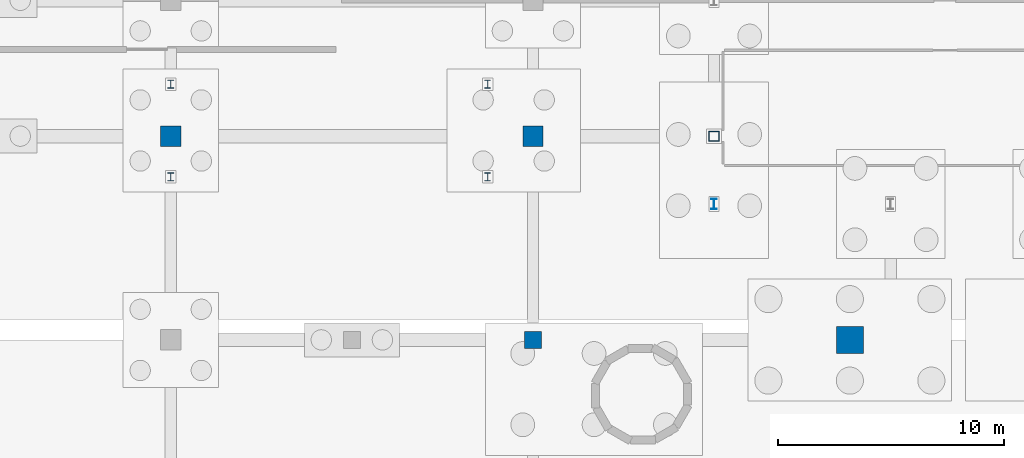
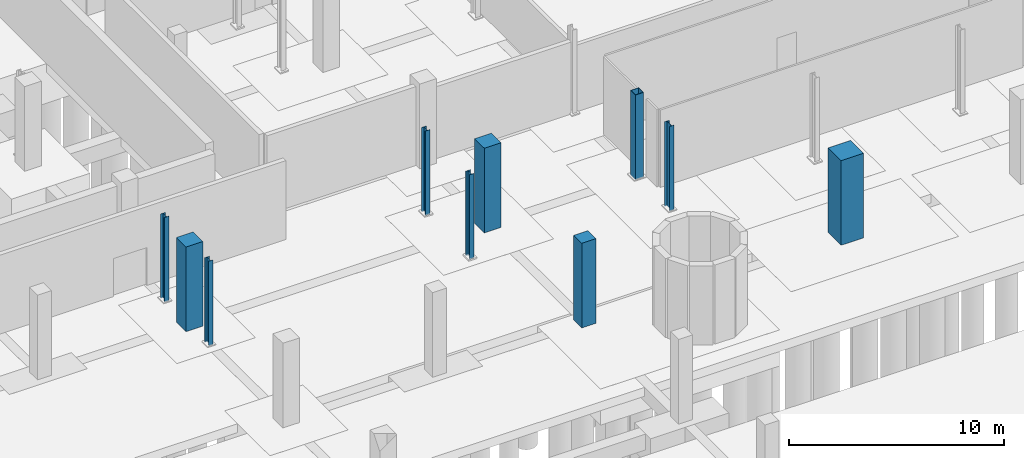
# One storey, part 9 of 32: 10 columns.
"""IFC4 building model written with IfcOpenShell, lengths in metres."""

import ifcopenshell
import ifcopenshell.guid

model = None  # the IFC model being written
_history = None  # IfcOwnerHistory: only IFC2X3 demands one
_inside = {}  # id of a spatial element -> (the spatial element, [elements in it])
_under = {}  # id of a project, library or spatial element -> (it, [spatial elements below it])
_declared = {}  # id of a project -> (the project, [libraries it declares])
_typed = {}  # id of a type object -> (the type object, [elements of that type])
_made_of = {}  # id of a material, layer set ... -> (it, [elements and type objects made of it])


def new_model(schema):
    """Start an empty IFC model of exactly this schema.

    Asked for "IFC4X3", IfcOpenShell would pick the latest addendum, in which some entities
    have other attributes; the version numbers below select the first issue.
    IFC2X3 requires an IfcOwnerHistory on every rooted entity: one is made here for all.
    """
    global model, _history
    if schema == "IFC4X3":
        model = ifcopenshell.file(schema_version=(4, 3, 0, 0))
    else:
        model = ifcopenshell.file(schema=schema)
    _inside.clear()
    _under.clear()
    _declared.clear()
    _typed.clear()
    _made_of.clear()
    _history = None
    if model.schema == "IFC2X3":
        org = make("IfcOrganization", Name="unknown")
        user = make(
            "IfcPersonAndOrganization",
            ThePerson=make("IfcPerson", FamilyName="unknown"),
            TheOrganization=org,
        )
        app = make(
            "IfcApplication",
            ApplicationDeveloper=org,
            Version="unknown",
            ApplicationFullName="unknown",
            ApplicationIdentifier="unknown",
        )
        _history = make(
            "IfcOwnerHistory",
            OwningUser=user,
            OwningApplication=app,
            ChangeAction="ADDED",
            CreationDate=0,
        )
    return model


def make(cls, **values):
    """One entity of the class cls with the attributes given. An attribute that is None is left unset."""
    return model.create_entity(
        cls, **{name: value for name, value in values.items() if value is not None}
    )


def rooted(cls, **values):
    """An entity with a GlobalId (a new one), such as an element, a storey or a relation."""
    return make(cls, GlobalId=ifcopenshell.guid.new(), OwnerHistory=_history, **values)


def si_unit(unit_type, name, prefix=None):
    """IfcSIUnit, for example si_unit("LENGTHUNIT", "METRE", prefix="MILLI")."""
    return make("IfcSIUnit", UnitType=unit_type, Prefix=prefix, Name=name)


def derived_unit(unit_type, elements):
    """IfcDerivedUnit: a product of units, each with its exponent."""
    return make(
        "IfcDerivedUnit",
        Elements=[
            make("IfcDerivedUnitElement", Unit=unit, Exponent=power)
            for unit, power in elements
        ],
        UnitType=unit_type,
    )


def assignment(units):
    """IfcUnitAssignment: the units of a project."""
    return None if units is None else make("IfcUnitAssignment", Units=units)


def point(xyz):
    """IfcCartesianPoint."""
    return None if xyz is None else make("IfcCartesianPoint", Coordinates=xyz)


def direction(xyz):
    """IfcDirection."""
    return None if xyz is None else make("IfcDirection", DirectionRatios=xyz)


def frame(location, z_axis=None, x_axis=None):
    """IfcAxis2Placement3D, a coordinate frame: its origin and axes. An axis left out is left unset."""
    return make(
        "IfcAxis2Placement3D",
        Location=point(location),
        Axis=direction(z_axis),
        RefDirection=direction(x_axis),
    )


def frame_2d(location, x_axis=None):
    """IfcAxis2Placement2D, a coordinate frame in the plane: its origin and x axis."""
    return make(
        "IfcAxis2Placement2D", Location=point(location), RefDirection=direction(x_axis)
    )


def origin():
    """The frame at (0, 0, 0) with its axes left unset."""
    return frame((0.0, 0.0, 0.0))


def origin_2d():
    """The frame at (0, 0) in the plane with its x axis left unset."""
    return frame_2d((0.0, 0.0))


def place(relative_to, where):
    """IfcLocalPlacement: puts the frame where relative to a parent placement (None: the world)."""
    return make(
        "IfcLocalPlacement", PlacementRelTo=relative_to, RelativePlacement=where
    )


def context(
    kind, dimensions, precision=None, world=None, true_north=None, identifier=None
):
    """IfcGeometricRepresentationContext, for example the 3D "Model" context."""
    return make(
        "IfcGeometricRepresentationContext",
        ContextIdentifier=identifier,
        ContextType=kind,
        CoordinateSpaceDimension=dimensions,
        Precision=precision,
        WorldCoordinateSystem=world,
        TrueNorth=true_north,
    )


def subcontext(parent, identifier, kind, view, scale=None):
    """IfcGeometricRepresentationSubContext, for example "Body" below "Model"."""
    return make(
        "IfcGeometricRepresentationSubContext",
        ContextIdentifier=identifier,
        ContextType=kind,
        ParentContext=parent,
        TargetScale=scale,
        TargetView=view,
    )


def project(units=None, contexts=None):
    """IfcProject with its units and contexts."""
    return rooted(
        "IfcProject",
        Name="project",
        RepresentationContexts=contexts,
        UnitsInContext=assignment(units),
    )


def spatial(cls, under=None, at=None, **own):
    """A site, building, storey or space (cls), placed at a placement, below another one or the project."""
    s = rooted(cls, ObjectPlacement=at, **own)
    if under is not None:
        _under.setdefault(under.id(), (under, []))[1].append(s)
    return s


def profile(cls, at=None, kind="AREA", **sizes):
    """A parametric profile (cls). Its sizes go by their IFC names, for example OverallWidth=200.0."""
    return make(cls, ProfileType=kind, Position=at, **sizes)


def rectangle(**sizes):
    """IfcRectangleProfileDef."""
    return profile("IfcRectangleProfileDef", **sizes)


def hollow_rectangle(**sizes):
    """IfcRectangleHollowProfileDef."""
    return profile("IfcRectangleHollowProfileDef", **sizes)


def i_section(**sizes):
    """IfcIShapeProfileDef."""
    return profile("IfcIShapeProfileDef", **sizes)


def extrude(swept, where, along, depth):
    """IfcExtrudedAreaSolid: the profile swept, set in the frame where, extruded along a direction by depth."""
    return make(
        "IfcExtrudedAreaSolid",
        SweptArea=swept,
        Position=where,
        ExtrudedDirection=direction(along),
        Depth=depth,
    )


def shape(context_of_items, identifier, shape_type, items):
    """IfcShapeRepresentation: the items that make up one representation, for example the "Body"."""
    return make(
        "IfcShapeRepresentation",
        ContextOfItems=context_of_items,
        RepresentationIdentifier=identifier,
        RepresentationType=shape_type,
        Items=items,
    )


def material(Name=None, Category=None):
    """IfcMaterial."""
    return make("IfcMaterial", Name=Name, Category=Category)


def material_profile(
    of_material, cross_section, Name=None, Category=None, Priority=None
):
    """IfcMaterialProfile: a cross section and its material."""
    return make(
        "IfcMaterialProfile",
        Name=Name,
        Material=of_material,
        Profile=cross_section,
        Priority=Priority,
        Category=Category,
    )


def profile_set(profiles, Name=None, composite=None):
    """IfcMaterialProfileSet."""
    return make(
        "IfcMaterialProfileSet",
        Name=Name,
        MaterialProfiles=profiles,
        CompositeProfile=composite,
    )


def made_of(thing, what):
    """Note that an element or type object is made of a material, layer set ...; save() writes the relation."""
    if what is not None:
        _made_of.setdefault(what.id(), (what, []))[1].append(thing)
    return thing


def type_object(cls, material=None, **own):
    """A type object (cls), such as IfcWallType, which elements share."""
    return made_of(rooted(cls, **own), material)


def element(
    cls,
    number,
    at=None,
    inside=None,
    cuts=None,
    type_object=None,
    material=None,
    context=None,
    identifier="Body",
    shape_type=None,
    held_by="IfcProductDefinitionShape",
    body=None,
    shapes=None,
    **own,
):
    """One element of the class cls, such as IfcWall. Its Tag is "e" and its number.

    at: its placement. inside: the storey or other place that contains it. cuts: it is an
    opening in that element (IfcRelVoidsElement). A single representation is given by context,
    identifier, shape_type and body (its items); several are given by shapes. held_by: the class
    of the entity that holds the representations. save() writes the other relations.
    """
    e = rooted(cls, Tag="e%d" % number, ObjectPlacement=at, **own)
    if body is not None:
        shapes = [shape(context, identifier, shape_type, body)]
    if shapes is not None:
        e.Representation = make(held_by, Representations=shapes)
    if inside is not None:
        _inside.setdefault(inside.id(), (inside, []))[1].append(e)
    if cuts is not None:
        rooted(
            "IfcRelVoidsElement", RelatingBuildingElement=cuts, RelatedOpeningElement=e
        )
    if type_object is not None:
        _typed.setdefault(type_object.id(), (type_object, []))[1].append(e)
    return made_of(e, material)


def aggregate(whole, parts):
    """IfcRelAggregates: a whole, such as a stair, and the parts it consists of."""
    return rooted("IfcRelAggregates", RelatingObject=whole, RelatedObjects=parts)


def save(model, path):
    """Write the relations noted so far, then the file.

    IfcRelAggregates (storeys below a building ...), IfcRelContainedInSpatialStructure (elements
    in a storey), IfcRelDefinesByType, IfcRelAssociatesMaterial and IfcRelDeclares: one each for
    every whole, place, type object, material and project.
    """
    for whole, parts in _under.values():
        aggregate(whole, parts)
    for where, things in _inside.values():
        rooted(
            "IfcRelContainedInSpatialStructure",
            RelatedElements=things,
            RelatingStructure=where,
        )
    for kind, things in _typed.values():
        rooted("IfcRelDefinesByType", RelatedObjects=things, RelatingType=kind)
    for what, things in _made_of.values():
        rooted("IfcRelAssociatesMaterial", RelatedObjects=things, RelatingMaterial=what)
    for by, libraries in _declared.values():
        rooted("IfcRelDeclares", RelatingContext=by, RelatedDefinitions=libraries)
    model.write(path)


model = new_model("IFC4")

# Units and contexts
model_context = context("Model", 3, precision=1e-05, world=origin(), true_north=direction((0.0, 1.0)))
body_context = subcontext(model_context, "Body", "Model", "MODEL_VIEW")
ifc_project = project(units=[si_unit("LENGTHUNIT", "METRE"), si_unit("AREAUNIT", "SQUARE_METRE"), si_unit("VOLUMEUNIT", "CUBIC_METRE"), si_unit("PLANEANGLEUNIT", "RADIAN"), si_unit("MASSUNIT", "GRAM", prefix="KILO"), derived_unit("THERMALTRANSMITTANCEUNIT", [(si_unit("POWERUNIT", "WATT"), 1), (si_unit("LENGTHUNIT", "METRE"), -2), (si_unit("THERMODYNAMICTEMPERATUREUNIT", "KELVIN"), -1)])], contexts=[model_context])

# Site, building, storey
site_placement = place(None, origin())
site = spatial("IfcSite", under=ifc_project, at=site_placement, CompositionType="ELEMENT")
building_placement = place(site_placement, origin())
building = spatial("IfcBuilding", under=site, at=building_placement, Name="Nallur Shell Playhouse", CompositionType="ELEMENT")
storey_placement = place(building_placement, frame((0.0, 0.0, -4.800048828125)))
storey = spatial("IfcBuildingStorey", under=building, at=storey_placement, Name="B1", CompositionType="ELEMENT", Elevation=-4.800048828125)

# Columns
ifc_material_1 = material(Name="Concrete M45", Category="concrete")
ifc_material_profile_1 = material_profile(ifc_material_1, rectangle(XDim=1.199951171875, YDim=1.199951171875, at=origin_2d()), Name="RC 1200x1200")
ifc_profile_set_1 = profile_set([ifc_material_profile_1], Name="Concrete M45")
column_type_1 = type_object("IfcColumnType", Name="CL-RC-1200", PredefinedType="COLUMN", material=ifc_profile_set_1)
column_1_placement = place(storey_placement, frame((70.0, 41.0, 0.0), z_axis=(0.0, 0.0, 1.0), x_axis=(1.0, 0.0, 0.0)))
element("IfcColumn", 1, at=column_1_placement, inside=storey, type_object=column_type_1, Name="Column MC1N (B1)", PredefinedType="COLUMN", context=body_context, shape_type="SweptSolid", body=[
    extrude(rectangle(XDim=1.199951171875, YDim=1.199951171875, at=origin_2d()), origin(), (0.0, 0.0, 1.0), 4.800048828125),
])
ifc_material_2 = material(Name="Concrete M40", Category="concrete")
ifc_material_profile_2 = material_profile(ifc_material_2, rectangle(XDim=0.75, YDim=0.75, at=origin_2d()), Name="RC 750x750")
ifc_profile_set_2 = profile_set([ifc_material_profile_2], Name="Concrete M40")
column_type_2 = type_object("IfcColumnType", Name="CL-RC-750", PredefinedType="COLUMN", material=ifc_profile_set_2)
column_2_placement = place(storey_placement, frame((56.0, 41.0, 0.0), z_axis=(0.0, 0.0, 1.0), x_axis=(1.0, 0.0, 0.0)))
element("IfcColumn", 2, at=column_2_placement, inside=storey, type_object=column_type_2, Name="Column 7-E (B1)", PredefinedType="COLUMN", context=body_context, shape_type="SweptSolid", body=[
    extrude(rectangle(XDim=0.75, YDim=0.75, at=origin_2d()), origin(), (0.0, 0.0, 1.0), 4.800048828125),
])
ifc_material_profile_3 = material_profile(ifc_material_2, rectangle(XDim=0.89990234375, YDim=0.89990234375, at=origin_2d()), Name="RC 900x900")
ifc_profile_set_3 = profile_set([ifc_material_profile_3], Name="Concrete M40")
column_type_3 = type_object("IfcColumnType", Name="CL-RC-900", PredefinedType="COLUMN", material=ifc_profile_set_3)
for number, where, z_axis, x_axis, name in (
    (3, (40.0, 50.0, 0.0), (0.0, 0.0, 1.0), (1.0, 0.0, 0.0), "Column 5-F (B1)"),
    (4, (56.0, 50.0, 0.0), (0.0, 0.0, 1.0), (1.0, 0.0, 0.0), "Column 7-F (B1)"),
):
    element("IfcColumn", number, at=place(storey_placement, frame(where, z_axis=z_axis, x_axis=x_axis)), inside=storey, type_object=column_type_3, Name=name, PredefinedType="COLUMN", context=body_context, shape_type="SweptSolid", body=[
        extrude(rectangle(XDim=0.89990234375, YDim=0.89990234375, at=origin_2d()), origin(), (0.0, 0.0, 1.0), 4.800048828125),
    ])
ifc_material_3 = material(Name="Steel E350", Category="steel")
ifc_material_profile_4 = material_profile(ifc_material_3, hollow_rectangle(XDim=0.449951171875, YDim=0.449951171875, WallThickness=0.02001953125, at=origin_2d()), Name="BOX 450x450x20")
ifc_profile_set_4 = profile_set([ifc_material_profile_4], Name="Steel E350")
column_type_4 = type_object("IfcColumnType", Name="CL-ST-BOX450", PredefinedType="COLUMN", material=ifc_profile_set_4)
column_3_placement = place(storey_placement, frame((64.0, 50.0, 0.0), z_axis=(0.0, 0.0, 1.0), x_axis=(1.0, 0.0, 0.0)))
element("IfcColumn", 5, at=column_3_placement, inside=storey, type_object=column_type_4, Name="Column 8-F (B1)", PredefinedType="COLUMN", context=body_context, shape_type="SweptSolid", body=[
    extrude(hollow_rectangle(XDim=0.449951171875, YDim=0.449951171875, WallThickness=0.02001953125, at=origin_2d()), origin(), (0.0, 0.0, 1.0), 4.800048828125),
])
ifc_material_profile_5 = material_profile(ifc_material_3, i_section(OverallWidth=0.25, OverallDepth=0.35009765625, WebThickness=0.010009765625, FlangeThickness=0.01171875, FilletRadius=0.011962890625, at=origin_2d()), Name="ISHB 350")
ifc_profile_set_5 = profile_set([ifc_material_profile_5], Name="Steel E350")
column_type_5 = type_object("IfcColumnType", Name="CL-ST-ISHB350", PredefinedType="COLUMN", material=ifc_profile_set_5)
for number, where, z_axis, x_axis, name in (
    (6, (40.0, 48.199951171875, 0.0), (0.0, 0.0, 1.0), (1.0, 0.0, 0.0), "Column BRCOL-1 (B1)"),
    (7, (54.0, 48.199951171875, 0.0), (0.0, 0.0, 1.0), (1.0, 0.0, 0.0), "Column BRCOL-2 (B1)"),
    (8, (40.0, 52.300048828125, 0.0), (0.0, 0.0, 1.0), (1.0, 0.0, 0.0), "Column BRCOL-3 (B1)"),
    (9, (54.0, 52.300048828125, 0.0), (0.0, 0.0, 1.0), (1.0, 0.0, 0.0), "Column BRCOL-4 (B1)"),
):
    element("IfcColumn", number, at=place(storey_placement, frame(where, z_axis=z_axis, x_axis=x_axis)), inside=storey, type_object=column_type_5, Name=name, PredefinedType="COLUMN", context=body_context, shape_type="SweptSolid", body=[
        extrude(i_section(OverallWidth=0.25, OverallDepth=0.35009765625, WebThickness=0.010009765625, FlangeThickness=0.01171875, FilletRadius=0.011962890625, at=origin_2d()), origin(), (0.0, 0.0, 1.0), 4.800048828125),
    ])
ifc_material_profile_6 = material_profile(ifc_material_3, i_section(OverallWidth=0.25, OverallDepth=0.449951171875, WebThickness=0.01123046875, FlangeThickness=0.013671875, FilletRadius=0.014892578125, at=origin_2d()), Name="ISHB 450")
ifc_profile_set_6 = profile_set([ifc_material_profile_6], Name="Steel E350")
column_type_6 = type_object("IfcColumnType", Name="CL-ST-ISHB450", PredefinedType="COLUMN", material=ifc_profile_set_6)
column_4_placement = place(storey_placement, frame((64.0, 47.0, 0.0), z_axis=(0.0, 0.0, 1.0), x_axis=(1.0, 0.0, 0.0)))
element("IfcColumn", 10, at=column_4_placement, inside=storey, type_object=column_type_6, Name="Column PROSC-1 (B1)", PredefinedType="COLUMN", context=body_context, shape_type="SweptSolid", body=[
    extrude(i_section(OverallWidth=0.25, OverallDepth=0.449951171875, WebThickness=0.01123046875, FlangeThickness=0.013671875, FilletRadius=0.014892578125, at=origin_2d()), origin(), (0.0, 0.0, 1.0), 4.800048828125),
])

save(model, "model.ifc")
